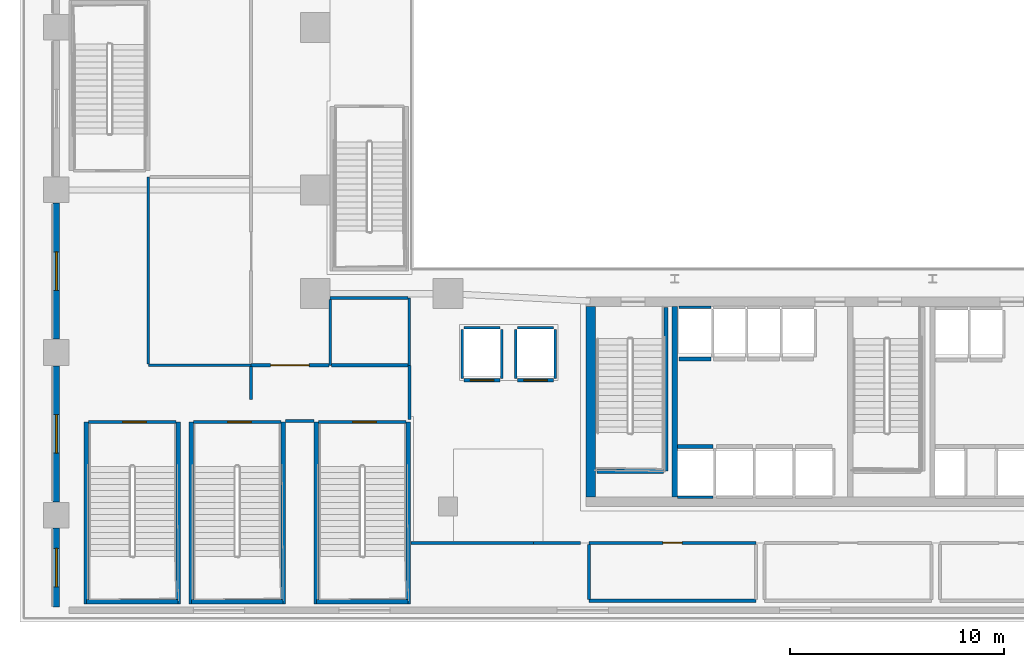
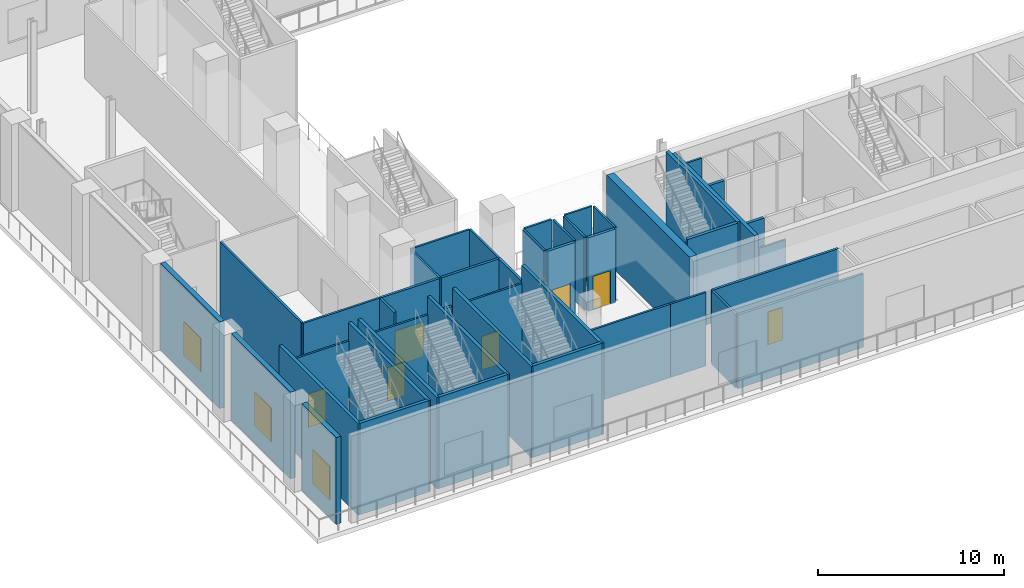
# One storey, part 6 of 29: 46 walls, 7 doors, 3 windows, 10 openings.
"""IFC4 building model written with IfcOpenShell, lengths in metres."""

import ifcopenshell
import ifcopenshell.guid

model = None  # the IFC model being written
_history = None  # IfcOwnerHistory: only IFC2X3 demands one
_inside = {}  # id of a spatial element -> (the spatial element, [elements in it])
_under = {}  # id of a project, library or spatial element -> (it, [spatial elements below it])
_declared = {}  # id of a project -> (the project, [libraries it declares])
_typed = {}  # id of a type object -> (the type object, [elements of that type])
_made_of = {}  # id of a material, layer set ... -> (it, [elements and type objects made of it])


def new_model(schema):
    """Start an empty IFC model of exactly this schema.

    Asked for "IFC4X3", IfcOpenShell would pick the latest addendum, in which some entities
    have other attributes; the version numbers below select the first issue.
    IFC2X3 requires an IfcOwnerHistory on every rooted entity: one is made here for all.
    """
    global model, _history
    if schema == "IFC4X3":
        model = ifcopenshell.file(schema_version=(4, 3, 0, 0))
    else:
        model = ifcopenshell.file(schema=schema)
    _inside.clear()
    _under.clear()
    _declared.clear()
    _typed.clear()
    _made_of.clear()
    _history = None
    if model.schema == "IFC2X3":
        org = make("IfcOrganization", Name="unknown")
        user = make(
            "IfcPersonAndOrganization",
            ThePerson=make("IfcPerson", FamilyName="unknown"),
            TheOrganization=org,
        )
        app = make(
            "IfcApplication",
            ApplicationDeveloper=org,
            Version="unknown",
            ApplicationFullName="unknown",
            ApplicationIdentifier="unknown",
        )
        _history = make(
            "IfcOwnerHistory",
            OwningUser=user,
            OwningApplication=app,
            ChangeAction="ADDED",
            CreationDate=0,
        )
    return model


def make(cls, **values):
    """One entity of the class cls with the attributes given. An attribute that is None is left unset."""
    return model.create_entity(
        cls, **{name: value for name, value in values.items() if value is not None}
    )


def rooted(cls, **values):
    """An entity with a GlobalId (a new one), such as an element, a storey or a relation."""
    return make(cls, GlobalId=ifcopenshell.guid.new(), OwnerHistory=_history, **values)


def si_unit(unit_type, name, prefix=None):
    """IfcSIUnit, for example si_unit("LENGTHUNIT", "METRE", prefix="MILLI")."""
    return make("IfcSIUnit", UnitType=unit_type, Prefix=prefix, Name=name)


def assignment(units):
    """IfcUnitAssignment: the units of a project."""
    return None if units is None else make("IfcUnitAssignment", Units=units)


def point(xyz):
    """IfcCartesianPoint."""
    return None if xyz is None else make("IfcCartesianPoint", Coordinates=xyz)


def direction(xyz):
    """IfcDirection."""
    return None if xyz is None else make("IfcDirection", DirectionRatios=xyz)


def frame(location, z_axis=None, x_axis=None):
    """IfcAxis2Placement3D, a coordinate frame: its origin and axes. An axis left out is left unset."""
    return make(
        "IfcAxis2Placement3D",
        Location=point(location),
        Axis=direction(z_axis),
        RefDirection=direction(x_axis),
    )


def frame_2d(location, x_axis=None):
    """IfcAxis2Placement2D, a coordinate frame in the plane: its origin and x axis."""
    return make(
        "IfcAxis2Placement2D", Location=point(location), RefDirection=direction(x_axis)
    )


def origin():
    """The frame at (0, 0, 0) with its axes left unset."""
    return frame((0.0, 0.0, 0.0))


def place(relative_to, where):
    """IfcLocalPlacement: puts the frame where relative to a parent placement (None: the world)."""
    return make(
        "IfcLocalPlacement", PlacementRelTo=relative_to, RelativePlacement=where
    )


def context(
    kind, dimensions, precision=None, world=None, true_north=None, identifier=None
):
    """IfcGeometricRepresentationContext, for example the 3D "Model" context."""
    return make(
        "IfcGeometricRepresentationContext",
        ContextIdentifier=identifier,
        ContextType=kind,
        CoordinateSpaceDimension=dimensions,
        Precision=precision,
        WorldCoordinateSystem=world,
        TrueNorth=true_north,
    )


def subcontext(parent, identifier, kind, view, scale=None):
    """IfcGeometricRepresentationSubContext, for example "Body" below "Model"."""
    return make(
        "IfcGeometricRepresentationSubContext",
        ContextIdentifier=identifier,
        ContextType=kind,
        ParentContext=parent,
        TargetScale=scale,
        TargetView=view,
    )


def project(units=None, contexts=None):
    """IfcProject with its units and contexts."""
    return rooted(
        "IfcProject",
        Name="project",
        RepresentationContexts=contexts,
        UnitsInContext=assignment(units),
    )


def spatial(cls, under=None, at=None, **own):
    """A site, building, storey or space (cls), placed at a placement, below another one or the project."""
    s = rooted(cls, ObjectPlacement=at, **own)
    if under is not None:
        _under.setdefault(under.id(), (under, []))[1].append(s)
    return s


def profile(cls, at=None, kind="AREA", **sizes):
    """A parametric profile (cls). Its sizes go by their IFC names, for example OverallWidth=200.0."""
    return make(cls, ProfileType=kind, Position=at, **sizes)


def rectangle(**sizes):
    """IfcRectangleProfileDef."""
    return profile("IfcRectangleProfileDef", **sizes)


def extrude(swept, where, along, depth):
    """IfcExtrudedAreaSolid: the profile swept, set in the frame where, extruded along a direction by depth."""
    return make(
        "IfcExtrudedAreaSolid",
        SweptArea=swept,
        Position=where,
        ExtrudedDirection=direction(along),
        Depth=depth,
    )


def shape(context_of_items, identifier, shape_type, items):
    """IfcShapeRepresentation: the items that make up one representation, for example the "Body"."""
    return make(
        "IfcShapeRepresentation",
        ContextOfItems=context_of_items,
        RepresentationIdentifier=identifier,
        RepresentationType=shape_type,
        Items=items,
    )


def material(Name=None, Category=None):
    """IfcMaterial."""
    return make("IfcMaterial", Name=Name, Category=Category)


def layer(
    of_material, thickness, ventilated=None, Name=None, Category=None, Priority=None
):
    """IfcMaterialLayer: one layer of a wall or slab, of a material (None: an air gap)."""
    return make(
        "IfcMaterialLayer",
        Material=of_material,
        LayerThickness=thickness,
        IsVentilated=ventilated,
        Name=Name,
        Category=Category,
        Priority=Priority,
    )


def layer_set(layers, Name=None):
    """IfcMaterialLayerSet."""
    return make("IfcMaterialLayerSet", MaterialLayers=layers, LayerSetName=Name)


def made_of(thing, what):
    """Note that an element or type object is made of a material, layer set ...; save() writes the relation."""
    if what is not None:
        _made_of.setdefault(what.id(), (what, []))[1].append(thing)
    return thing


def type_object(cls, material=None, **own):
    """A type object (cls), such as IfcWallType, which elements share."""
    return made_of(rooted(cls, **own), material)


def element(
    cls,
    number,
    at=None,
    inside=None,
    cuts=None,
    type_object=None,
    material=None,
    context=None,
    identifier="Body",
    shape_type=None,
    held_by="IfcProductDefinitionShape",
    body=None,
    shapes=None,
    **own,
):
    """One element of the class cls, such as IfcWall. Its Tag is "e" and its number.

    at: its placement. inside: the storey or other place that contains it. cuts: it is an
    opening in that element (IfcRelVoidsElement). A single representation is given by context,
    identifier, shape_type and body (its items); several are given by shapes. held_by: the class
    of the entity that holds the representations. save() writes the other relations.
    """
    e = rooted(cls, Tag="e%d" % number, ObjectPlacement=at, **own)
    if body is not None:
        shapes = [shape(context, identifier, shape_type, body)]
    if shapes is not None:
        e.Representation = make(held_by, Representations=shapes)
    if inside is not None:
        _inside.setdefault(inside.id(), (inside, []))[1].append(e)
    if cuts is not None:
        rooted(
            "IfcRelVoidsElement", RelatingBuildingElement=cuts, RelatedOpeningElement=e
        )
    if type_object is not None:
        _typed.setdefault(type_object.id(), (type_object, []))[1].append(e)
    return made_of(e, material)


def fill(opening, filler):
    """IfcRelFillsElement: the door or window that sits in an opening."""
    return rooted(
        "IfcRelFillsElement",
        RelatingOpeningElement=opening,
        RelatedBuildingElement=filler,
    )


def aggregate(whole, parts):
    """IfcRelAggregates: a whole, such as a stair, and the parts it consists of."""
    return rooted("IfcRelAggregates", RelatingObject=whole, RelatedObjects=parts)


def save(model, path):
    """Write the relations noted so far, then the file.

    IfcRelAggregates (storeys below a building ...), IfcRelContainedInSpatialStructure (elements
    in a storey), IfcRelDefinesByType, IfcRelAssociatesMaterial and IfcRelDeclares: one each for
    every whole, place, type object, material and project.
    """
    for whole, parts in _under.values():
        aggregate(whole, parts)
    for where, things in _inside.values():
        rooted(
            "IfcRelContainedInSpatialStructure",
            RelatedElements=things,
            RelatingStructure=where,
        )
    for kind, things in _typed.values():
        rooted("IfcRelDefinesByType", RelatedObjects=things, RelatingType=kind)
    for what, things in _made_of.values():
        rooted("IfcRelAssociatesMaterial", RelatedObjects=things, RelatingMaterial=what)
    for by, libraries in _declared.values():
        rooted("IfcRelDeclares", RelatingContext=by, RelatedDefinitions=libraries)
    model.write(path)


model = new_model("IFC4")

# Units and contexts
model_context = context("Model", 3, precision=1e-05, world=origin(), true_north=direction((0.0, 1.0)))
body_context = subcontext(model_context, "Body", "Model", "MODEL_VIEW")
ifc_project = project(units=[si_unit("LENGTHUNIT", "METRE"), si_unit("AREAUNIT", "SQUARE_METRE"), si_unit("VOLUMEUNIT", "CUBIC_METRE"), si_unit("PLANEANGLEUNIT", "RADIAN"), si_unit("MASSUNIT", "GRAM", prefix="KILO")], contexts=[model_context])

# Site, building, storey
site_placement = place(None, origin())
site = spatial("IfcSite", under=ifc_project, at=site_placement, CompositionType="ELEMENT")
building_placement = place(site_placement, origin())
building = spatial("IfcBuilding", under=site, at=building_placement, Name="Ndaravel Arena Tower", CompositionType="ELEMENT")
storey_placement = place(building_placement, frame((0.0, 0.0, 12.0)))
storey = spatial("IfcBuildingStorey", under=building, at=storey_placement, Name="L02", CompositionType="ELEMENT", Elevation=12.0)

# Walls
ifc_material_1 = material(Name="Concrete C60/75", Category="concrete")
ifc_layer_1 = layer(ifc_material_1, 0.25)
ifc_layer_set_1 = layer_set([ifc_layer_1], Name="Concrete C60/75")
wall_type_1 = type_object("IfcWallType", Name="WALL-CORE-250", PredefinedType="SOLIDWALL", material=ifc_layer_set_1)
wall_1_placement = place(storey_placement, frame((30.60009765625, 5.85009765625, 0.0), z_axis=(0.0, 0.0, 1.0), x_axis=(0.0, 1.0, 0.0)))
element("IfcWall", 1, at=wall_1_placement, inside=storey, type_object=wall_type_1, Name="L02 Core Web Shear Wall 1", PredefinedType="SOLIDWALL", context=body_context, shape_type="SweptSolid", body=[
    extrude(rectangle(XDim=8.89990234375, YDim=0.25, at=frame_2d((4.449951171875, 0.0))), origin(), (0.0, 0.0, 1.0), 5.699951171875),
])
ifc_material_2 = material(Name="Concrete C60/75", Category="concrete")
ifc_layer_2 = layer(ifc_material_2, 0.449951171875)
ifc_layer_set_2 = layer_set([ifc_layer_2], Name="Concrete C60/75")
wall_type_2 = type_object("IfcWallType", Name="WALL-CORE-450", PredefinedType="SOLIDWALL", material=ifc_layer_set_2)
wall_2_placement = place(storey_placement, frame((26.675048828125, 5.85009765625, 0.0), z_axis=(0.0, 0.0, 1.0), x_axis=(0.0, 1.0, 0.0)))
element("IfcWall", 2, at=wall_2_placement, inside=storey, type_object=wall_type_2, Name="L02 Core West Shear Wall", PredefinedType="SOLIDWALL", context=body_context, shape_type="SweptSolid", body=[
    extrude(rectangle(XDim=8.89990234375, YDim=0.449951171875, at=frame_2d((4.449951171875, 0.0))), origin(), (0.0, 0.0, 1.0), 5.699951171875),
])
ifc_material_3 = material(Name="Gypsum", Category="gypsum")
ifc_layer_3 = layer(ifc_material_3, 0.125)
ifc_layer_set_3 = layer_set([ifc_layer_3], Name="Gypsum")
wall_type_3 = type_object("IfcWallType", Name="WALL-PART-125", PredefinedType="PARTITIONING", material=ifc_layer_set_3)
wall_3_placement = place(storey_placement, frame((26.199951171875, 3.699951171875, 0.0), z_axis=(0.0, 0.0, 1.0), x_axis=(-1.0, 0.0, 0.0)))
element("IfcWall", 3, at=wall_3_placement, inside=storey, type_object=wall_type_3, Name="L02 Interior Partition 006", PredefinedType="PARTITIONING", context=body_context, shape_type="SweptSolid", body=[
    extrude(rectangle(XDim=2.199951171875, YDim=0.125, at=frame_2d((1.10009765625, 0.0))), origin(), (0.0, 0.0, 1.0), 4.819091796875),
])
wall_4_placement = place(storey_placement, frame((24.0, 3.699951171875, 0.0), z_axis=(0.0, 0.0, 1.0), x_axis=(-1.0, 0.0, 0.0)))
element("IfcWall", 4, at=wall_4_placement, inside=storey, type_object=wall_type_3, Name="L02 Interior Partition 007", PredefinedType="PARTITIONING", context=body_context, shape_type="SweptSolid", body=[
    extrude(rectangle(XDim=5.72998046875, YDim=0.125, at=frame_2d((2.864990234375, 0.0))), origin(), (0.0, 0.0, 1.0), 4.819091796875),
])
wall_5_placement = place(storey_placement, frame((18.199951171875, 12.0, 0.0), z_axis=(0.0, 0.0, 1.0), x_axis=(0.0, 1.0, 0.0)))
element("IfcWall", 5, at=wall_5_placement, inside=storey, type_object=wall_type_3, Name="L02 Interior Partition 009", PredefinedType="PARTITIONING", context=body_context, shape_type="SweptSolid", body=[
    extrude(rectangle(XDim=3.14990234375, YDim=0.125, at=frame_2d((1.574951171875, 0.0))), origin(), (0.0, 0.0, 1.0), 4.819091796875),
])
wall_6_placement = place(storey_placement, frame((18.135009765625, 15.14990234375, 0.0), z_axis=(0.0, 0.0, 1.0), x_axis=(-1.0, 0.0, 0.0)))
element("IfcWall", 6, at=wall_6_placement, inside=storey, type_object=wall_type_3, Name="L02 Interior Partition 010", PredefinedType="PARTITIONING", context=body_context, shape_type="SweptSolid", body=[
    extrude(rectangle(XDim=3.635009765625, YDim=0.125, at=frame_2d((1.8173828125, 0.0))), origin(), (0.0, 0.0, 1.0), 4.819091796875),
])
wall_7_placement = place(storey_placement, frame((14.5, 15.0849609375, 0.0), z_axis=(0.0, 0.0, 1.0), x_axis=(0.0, -1.0, 0.0)))
element("IfcWall", 7, at=wall_7_placement, inside=storey, type_object=wall_type_3, Name="L02 Interior Partition 011", PredefinedType="PARTITIONING", context=body_context, shape_type="SweptSolid", body=[
    extrude(rectangle(XDim=3.0849609375, YDim=0.125, at=frame_2d((1.54248046875, 0.0))), origin(), (0.0, 0.0, 1.0), 4.819091796875),
])
wall_8_placement = place(storey_placement, frame((10.800048828125, 12.0, 0.0), z_axis=(0.0, 0.0, 1.0), x_axis=(-1.0, 0.0, 0.0)))
element("IfcWall", 8, at=wall_8_placement, inside=storey, type_object=wall_type_3, Name="L02 Interior Partition 033", PredefinedType="PARTITIONING", context=body_context, shape_type="SweptSolid", body=[
    extrude(rectangle(XDim=4.800048828125, YDim=0.125, at=frame_2d((2.39990234375, 0.0))), origin(), (0.0, 0.0, 1.0), 4.819091796875),
])
wall_9_placement = place(storey_placement, frame((6.0, 12.06494140625, 0.0), z_axis=(0.0, 0.0, 1.0), x_axis=(0.0, 1.0, 0.0)))
element("IfcWall", 9, at=wall_9_placement, inside=storey, type_object=wall_type_3, Name="L02 Interior Partition 034", PredefinedType="PARTITIONING", context=body_context, shape_type="SweptSolid", body=[
    extrude(rectangle(XDim=8.735107421875, YDim=0.125, at=frame_2d((4.36767578125, 0.0))), origin(), (0.0, 0.0, 1.0), 4.819091796875),
])

# Wall, opening, window
ifc_material_4 = material(Name="Masonry", Category="masonry")
ifc_layer_4 = layer(ifc_material_4, 0.300048828125)
ifc_layer_set_4 = layer_set([ifc_layer_4], Name="Masonry")
wall_type_4 = type_object("IfcWallType", Name="WALL-POD-MAZERAS-300", PredefinedType="SOLIDWALL", material=ifc_layer_set_4)
wall_10_placement = place(storey_placement, frame((1.699951171875, 0.699951171875, 0.0), z_axis=(0.0, 0.0, 1.0), x_axis=(0.0, 1.0, 0.0)))
wall_10 = element("IfcWall", 10, at=wall_10_placement, inside=storey, type_object=wall_type_4, Name="L02 West Mazeras Bay 1", PredefinedType="SOLIDWALL", context=body_context, shape_type="SweptSolid", body=[
    extrude(rectangle(XDim=3.699951171875, YDim=0.300048828125, at=frame_2d((1.85009765625, 0.0))), origin(), (0.0, 0.0, 1.0), 5.699951171875),
])
opening_1_placement = place(wall_10_placement, frame((0.949951171875, 0.0, 1.0)))
opening_1 = element("IfcOpeningElement", 11, at=opening_1_placement, cuts=wall_10, Name="Opening W-PD2", PredefinedType="OPENING", context=body_context, shape_type="SweptSolid", body=[
    extrude(rectangle(XDim=1.800048828125, YDim=2.199951171875, at=frame_2d((0.89990234375, 1.10009765625))), frame((0.0, 0.14990234375, 0.0), z_axis=(0.0, -1.0, 0.0), x_axis=(1.0, 0.0, 0.0)), (0.0, 0.0, 1.0), 0.300048828125),
])
ifc_material_5 = material(Name="Glazing", Category="glass")
window_type = type_object("IfcWindowType", Name="WIN-POD-1800", PartitioningType="SINGLE_PANEL", PredefinedType="WINDOW", material=ifc_material_5)
window_1_placement = place(opening_1_placement, origin())
window_1 = element("IfcWindow", 12, at=window_1_placement, inside=storey, type_object=window_type, Name="L02 West Mazeras Window 1", OverallHeight=2.199951171875, OverallWidth=1.800048828125, PartitioningType="SINGLE_PANEL", PredefinedType="WINDOW", context=body_context, shape_type="SweptSolid", body=[
    extrude(rectangle(XDim=1.800048828125, YDim=2.199951171875, at=frame_2d((0.89990234375, 1.10009765625))), frame((0.0, 0.030029296875, 0.0), z_axis=(0.0, -1.0, 0.0), x_axis=(1.0, 0.0, 0.0)), (0.0, 0.0, 1.0), 0.06005859375),
])
fill(opening_1, window_1)

wall_11_placement = place(storey_placement, frame((1.699951171875, 5.6201171875, 0.0), z_axis=(0.0, 0.0, 1.0), x_axis=(0.0, 1.0, 0.0)))
wall_11 = element("IfcWall", 13, at=wall_11_placement, inside=storey, type_object=wall_type_4, Name="L02 West Mazeras Bay 2", PredefinedType="SOLIDWALL", context=body_context, shape_type="SweptSolid", body=[
    extrude(rectangle(XDim=6.35986328125, YDim=0.300048828125, at=frame_2d((3.179931640625, 0.0))), origin(), (0.0, 0.0, 1.0), 5.699951171875),
])
opening_2_placement = place(wall_11_placement, frame((2.280029296875, 0.0, 1.0)))
opening_2 = element("IfcOpeningElement", 14, at=opening_2_placement, cuts=wall_11, Name="Opening W-PD2", PredefinedType="OPENING", context=body_context, shape_type="SweptSolid", body=[
    extrude(rectangle(XDim=1.800048828125, YDim=2.199951171875, at=frame_2d((0.89990234375, 1.10009765625))), frame((0.0, 0.14990234375, 0.0), z_axis=(0.0, -1.0, 0.0), x_axis=(1.0, 0.0, 0.0)), (0.0, 0.0, 1.0), 0.300048828125),
])
window_2_placement = place(opening_2_placement, origin())
window_2 = element("IfcWindow", 15, at=window_2_placement, inside=storey, type_object=window_type, Name="L02 West Mazeras Window 2", OverallHeight=2.199951171875, OverallWidth=1.800048828125, PartitioningType="SINGLE_PANEL", PredefinedType="WINDOW", context=body_context, shape_type="SweptSolid", body=[
    extrude(rectangle(XDim=1.800048828125, YDim=2.199951171875, at=frame_2d((0.89990234375, 1.10009765625))), frame((0.0, 0.030029296875, 0.0), z_axis=(0.0, -1.0, 0.0), x_axis=(1.0, 0.0, 0.0)), (0.0, 0.0, 1.0), 0.06005859375),
])
fill(opening_2, window_2)

wall_12_placement = place(storey_placement, frame((1.699951171875, 13.219970703125, 0.0), z_axis=(0.0, 0.0, 1.0), x_axis=(0.0, 1.0, 0.0)))
wall_12 = element("IfcWall", 16, at=wall_12_placement, inside=storey, type_object=wall_type_4, Name="L02 West Mazeras Bay 3", PredefinedType="SOLIDWALL", context=body_context, shape_type="SweptSolid", body=[
    extrude(rectangle(XDim=6.360107421875, YDim=0.300048828125, at=frame_2d((3.18017578125, 0.0))), origin(), (0.0, 0.0, 1.0), 5.699951171875),
])
opening_3_placement = place(wall_12_placement, frame((2.280029296875, 0.0, 1.0)))
opening_3 = element("IfcOpeningElement", 17, at=opening_3_placement, cuts=wall_12, Name="Opening W-PD2", PredefinedType="OPENING", context=body_context, shape_type="SweptSolid", body=[
    extrude(rectangle(XDim=1.800048828125, YDim=2.199951171875, at=frame_2d((0.89990234375, 1.10009765625))), frame((0.0, 0.14990234375, 0.0), z_axis=(0.0, -1.0, 0.0), x_axis=(1.0, 0.0, 0.0)), (0.0, 0.0, 1.0), 0.300048828125),
])
window_3_placement = place(opening_3_placement, origin())
window_3 = element("IfcWindow", 18, at=window_3_placement, inside=storey, type_object=window_type, Name="L02 West Mazeras Window 3", OverallHeight=2.199951171875, OverallWidth=1.800048828125, PartitioningType="SINGLE_PANEL", PredefinedType="WINDOW", context=body_context, shape_type="SweptSolid", body=[
    extrude(rectangle(XDim=1.800048828125, YDim=2.199951171875, at=frame_2d((0.89990234375, 1.10009765625))), frame((0.0, 0.030029296875, 0.0), z_axis=(0.0, -1.0, 0.0), x_axis=(1.0, 0.0, 0.0)), (0.0, 0.0, 1.0), 0.06005859375),
])
fill(opening_3, window_3)

# Wall, opening, door
ifc_material_6 = material(Name="Concrete C40/50", Category="concrete")
ifc_layer_5 = layer(ifc_material_6, 0.1201171875)
ifc_layer_set_5 = layer_set([ifc_layer_5], Name="Concrete C40/50")
wall_type_5 = type_object("IfcWallType", Name="WALL-SHAFT-120", PredefinedType="SOLIDWALL", material=ifc_layer_set_5)
wall_13_placement = place(storey_placement, frame((3.205078125, 9.35009765625, 0.0), z_axis=(0.0, 0.0, 1.0), x_axis=(1.0, 0.0, 0.0)))
wall_13 = element("IfcWall", 19, at=wall_13_placement, inside=storey, type_object=wall_type_5, Name="L02 ST-A01 Entry Wall", PredefinedType="SOLIDWALL", context=body_context, shape_type="SweptSolid", body=[
    extrude(rectangle(XDim=4.08984375, YDim=0.1201171875, at=frame_2d((2.044921875, 0.0))), origin(), (0.0, 0.0, 1.0), 4.819091796875),
])
opening_4_placement = place(wall_13_placement, frame((1.60009765625, 0.0, 0.0)))
opening_4 = element("IfcOpeningElement", 20, at=opening_4_placement, cuts=wall_13, Name="Opening FD-01", PredefinedType="OPENING", context=body_context, shape_type="SweptSolid", body=[
    extrude(rectangle(XDim=1.10009765625, YDim=2.199951171875, at=frame_2d((0.550048828125, 1.10009765625))), frame((0.0, 0.06005859375, 0.0), z_axis=(0.0, -1.0, 0.0), x_axis=(1.0, 0.0, 0.0)), (0.0, 0.0, 1.0), 0.1201171875),
])
ifc_material_7 = material(Name="Steel S355", Category="steel")
door_type_1 = type_object("IfcDoorType", Name="DT-01-STAIR-1100", OperationType="SINGLE_SWING_LEFT", PredefinedType="DOOR", material=ifc_material_7)
door_1_placement = place(opening_4_placement, origin())
door_1 = element("IfcDoor", 21, at=door_1_placement, inside=storey, type_object=door_type_1, Name="L02 ST-A01 Fire Exit Stair Door", OperationType="SINGLE_SWING_LEFT", OverallHeight=2.199951171875, OverallWidth=1.10009765625, PredefinedType="DOOR", context=body_context, shape_type="SweptSolid", body=[
    extrude(rectangle(XDim=1.10009765625, YDim=2.199951171875, at=frame_2d((0.550048828125, 1.10009765625))), frame((0.0, 0.02490234375, 0.0), z_axis=(0.0, -1.0, 0.0), x_axis=(1.0, 0.0, 0.0)), (0.0, 0.0, 1.0), 0.050048828125),
])
fill(opening_4, door_1)

wall_14_placement = place(storey_placement, frame((8.10498046875, 9.35009765625, 0.0), z_axis=(0.0, 0.0, 1.0), x_axis=(1.0, 0.0, 0.0)))
wall_14 = element("IfcWall", 22, at=wall_14_placement, inside=storey, type_object=wall_type_5, Name="L02 ST-A02 Entry Wall", PredefinedType="SOLIDWALL", context=body_context, shape_type="SweptSolid", body=[
    extrude(rectangle(XDim=4.090087890625, YDim=0.1201171875, at=frame_2d((2.044921875, 0.0))), origin(), (0.0, 0.0, 1.0), 4.819091796875),
])
opening_5_placement = place(wall_14_placement, frame((1.60009765625, 0.0, 0.0)))
opening_5 = element("IfcOpeningElement", 23, at=opening_5_placement, cuts=wall_14, Name="Opening FD-01", PredefinedType="OPENING", context=body_context, shape_type="SweptSolid", body=[
    extrude(rectangle(XDim=1.10009765625, YDim=2.199951171875, at=frame_2d((0.550048828125, 1.10009765625))), frame((0.0, 0.06005859375, 0.0), z_axis=(0.0, -1.0, 0.0), x_axis=(1.0, 0.0, 0.0)), (0.0, 0.0, 1.0), 0.1201171875),
])
door_2_placement = place(opening_5_placement, origin())
door_2 = element("IfcDoor", 24, at=door_2_placement, inside=storey, type_object=door_type_1, Name="L02 ST-A02 Fire Exit Stair Door", OperationType="SINGLE_SWING_LEFT", OverallHeight=2.199951171875, OverallWidth=1.10009765625, PredefinedType="DOOR", context=body_context, shape_type="SweptSolid", body=[
    extrude(rectangle(XDim=1.10009765625, YDim=2.199951171875, at=frame_2d((0.550048828125, 1.10009765625))), frame((0.0, 0.02490234375, 0.0), z_axis=(0.0, -1.0, 0.0), x_axis=(1.0, 0.0, 0.0)), (0.0, 0.0, 1.0), 0.050048828125),
])
fill(opening_5, door_2)

wall_15_placement = place(storey_placement, frame((13.955078125, 9.35009765625, 0.0), z_axis=(0.0, 0.0, 1.0), x_axis=(1.0, 0.0, 0.0)))
wall_15 = element("IfcWall", 25, at=wall_15_placement, inside=storey, type_object=wall_type_5, Name="L02 ST-A03 Entry Wall", PredefinedType="SOLIDWALL", context=body_context, shape_type="SweptSolid", body=[
    extrude(rectangle(XDim=4.08984375, YDim=0.1201171875, at=frame_2d((2.044921875, 0.0))), origin(), (0.0, 0.0, 1.0), 4.819091796875),
])
opening_6_placement = place(wall_15_placement, frame((1.60009765625, 0.0, 0.0)))
opening_6 = element("IfcOpeningElement", 26, at=opening_6_placement, cuts=wall_15, Name="Opening FD-01", PredefinedType="OPENING", context=body_context, shape_type="SweptSolid", body=[
    extrude(rectangle(XDim=1.10009765625, YDim=2.199951171875, at=frame_2d((0.550048828125, 1.10009765625))), frame((0.0, 0.06005859375, 0.0), z_axis=(0.0, -1.0, 0.0), x_axis=(1.0, 0.0, 0.0)), (0.0, 0.0, 1.0), 0.1201171875),
])
door_3_placement = place(opening_6_placement, origin())
door_3 = element("IfcDoor", 27, at=door_3_placement, inside=storey, type_object=door_type_1, Name="L02 ST-A03 Fire Exit Stair Door", OperationType="SINGLE_SWING_LEFT", OverallHeight=2.199951171875, OverallWidth=1.10009765625, PredefinedType="DOOR", context=body_context, shape_type="SweptSolid", body=[
    extrude(rectangle(XDim=1.10009765625, YDim=2.199951171875, at=frame_2d((0.550048828125, 1.10009765625))), frame((0.0, 0.02490234375, 0.0), z_axis=(0.0, -1.0, 0.0), x_axis=(1.0, 0.0, 0.0)), (0.0, 0.0, 1.0), 0.050048828125),
])
fill(opening_6, door_3)

# Walls
wall_16_placement = place(storey_placement, frame((30.72998046875, 5.840087890625, 0.0), z_axis=(0.0, 0.0, 1.0), x_axis=(1.0, 0.0, 0.0)))
element("IfcWall", 28, at=wall_16_placement, inside=storey, type_object=wall_type_5, Name="L02 PL-L1 Shaft Rear Wall", PredefinedType="SOLIDWALL", context=body_context, shape_type="SweptSolid", body=[
    extrude(rectangle(XDim=1.6650390625, YDim=0.1201171875, at=frame_2d((0.83251953125, 0.0))), origin(), (0.0, 0.0, 1.0), 4.819091796875),
])
wall_17_placement = place(storey_placement, frame((30.804931640625, 14.7099609375, 0.0), z_axis=(0.0, 0.0, 1.0), x_axis=(1.0, 0.0, 0.0)))
element("IfcWall", 29, at=wall_17_placement, inside=storey, type_object=wall_type_5, Name="L02 PL-M1 Shaft Rear Wall", PredefinedType="SOLIDWALL", context=body_context, shape_type="SweptSolid", body=[
    extrude(rectangle(XDim=1.489990234375, YDim=0.1201171875, at=frame_2d((0.7451171875, 0.0))), origin(), (0.0, 0.0, 1.0), 4.819091796875),
])
wall_18_placement = place(storey_placement, frame((20.7548828125, 13.760009765625, 0.0), z_axis=(0.0, 0.0, 1.0), x_axis=(1.0, 0.0, 0.0)))
element("IfcWall", 30, at=wall_18_placement, inside=storey, type_object=wall_type_5, Name="L02 PL-A1 Shaft Rear Wall", PredefinedType="SOLIDWALL", context=body_context, shape_type="SweptSolid", body=[
    extrude(rectangle(XDim=1.690185546875, YDim=0.1201171875, at=frame_2d((0.84521484375, 0.0))), origin(), (0.0, 0.0, 1.0), 4.819091796875),
])
for number, where, z_axis, x_axis, name in (
    (31, (20.675048828125, 11.389892578125, 0.0), (0.0, 0.0, 1.0), (0.0, 1.0, 0.0), "L02 PL-A1 Shaft Side L Wall"),
    (32, (22.52490234375, 11.389892578125, 0.0), (0.0, 0.0, 1.0), (0.0, 1.0, 0.0), "L02 PL-A1 Shaft Side R Wall"),
):
    element("IfcWall", number, at=place(storey_placement, frame(where, z_axis=z_axis, x_axis=x_axis)), inside=storey, type_object=wall_type_5, Name=name, PredefinedType="SOLIDWALL", context=body_context, shape_type="SweptSolid", body=[
        extrude(rectangle(XDim=2.280029296875, YDim=0.1201171875, at=frame_2d((1.14013671875, 0.0))), origin(), (0.0, 0.0, 1.0), 4.819091796875),
    ])
wall_19_placement = place(storey_placement, frame((23.2548828125, 13.760009765625, 0.0), z_axis=(0.0, 0.0, 1.0), x_axis=(1.0, 0.0, 0.0)))
element("IfcWall", 33, at=wall_19_placement, inside=storey, type_object=wall_type_5, Name="L02 PL-A2 Shaft Rear Wall", PredefinedType="SOLIDWALL", context=body_context, shape_type="SweptSolid", body=[
    extrude(rectangle(XDim=1.690185546875, YDim=0.1201171875, at=frame_2d((0.84521484375, 0.0))), origin(), (0.0, 0.0, 1.0), 4.819091796875),
])
for number, where, z_axis, x_axis, name in (
    (34, (23.175048828125, 11.389892578125, 0.0), (0.0, 0.0, 1.0), (0.0, 1.0, 0.0), "L02 PL-A2 Shaft Side L Wall"),
    (35, (25.02490234375, 11.389892578125, 0.0), (0.0, 0.0, 1.0), (0.0, 1.0, 0.0), "L02 PL-A2 Shaft Side R Wall"),
):
    element("IfcWall", number, at=place(storey_placement, frame(where, z_axis=z_axis, x_axis=x_axis)), inside=storey, type_object=wall_type_5, Name=name, PredefinedType="SOLIDWALL", context=body_context, shape_type="SweptSolid", body=[
        extrude(rectangle(XDim=2.280029296875, YDim=0.1201171875, at=frame_2d((1.14013671875, 0.0))), origin(), (0.0, 0.0, 1.0), 4.819091796875),
    ])
ifc_material_8 = material(Name="Concrete C40/50", Category="concrete")
ifc_layer_6 = layer(ifc_material_8, 0.199951171875)
ifc_layer_set_6 = layer_set([ifc_layer_6], Name="Concrete C40/50")
wall_type_6 = type_object("IfcWallType", Name="WALL-SHAFT-200", PredefinedType="SOLIDWALL", material=ifc_layer_set_6)
wall_20_placement = place(storey_placement, frame((30.18994140625, 14.699951171875, 0.0), z_axis=(0.0, 0.0, 1.0), x_axis=(0.0, -1.0, 0.0)))
element("IfcWall", 36, at=wall_20_placement, inside=storey, type_object=wall_type_6, Name="L02 ST-1 Structural Shaft Wall Right", PredefinedType="SOLIDWALL", context=body_context, shape_type="SweptSolid", body=[
    extrude(rectangle(XDim=7.64990234375, YDim=0.199951171875, at=frame_2d((3.824951171875, 0.0))), origin(), (0.0, 0.0, 1.0), 6.0),
])
wall_21_placement = place(storey_placement, frame((26.969970703125, 7.050048828125, 0.0), z_axis=(0.0, 0.0, 1.0), x_axis=(1.0, 0.0, 0.0)))
element("IfcWall", 37, at=wall_21_placement, inside=storey, type_object=wall_type_6, Name="L02 ST-1 Structural Shaft Wall Far", PredefinedType="SOLIDWALL", context=body_context, shape_type="SweptSolid", body=[
    extrude(rectangle(XDim=3.114990234375, YDim=0.199951171875, at=frame_2d((1.5576171875, 0.0))), origin(), (0.0, 0.0, 1.0), 6.0),
])
for number, where, z_axis, x_axis, name in (
    (38, (3.10009765625, 9.35009765625, 0.0), (0.0, 0.0, 1.0), (0.0, -1.0, 0.0), "L02 ST-A01 Shaft Wall Left"),
    (39, (7.39990234375, 9.35009765625, 0.0), (0.0, 0.0, 1.0), (0.0, -1.0, 0.0), "L02 ST-A01 Shaft Wall Right"),
):
    element("IfcWall", number, at=place(storey_placement, frame(where, z_axis=z_axis, x_axis=x_axis)), inside=storey, type_object=wall_type_6, Name=name, PredefinedType="SOLIDWALL", context=body_context, shape_type="SweptSolid", body=[
        extrude(rectangle(XDim=8.5, YDim=0.199951171875, at=frame_2d((4.25, 0.0))), origin(), (0.0, 0.0, 1.0), 6.0),
    ])
wall_22_placement = place(storey_placement, frame((3.110107421875, 0.949951171875, 0.0), z_axis=(0.0, 0.0, 1.0), x_axis=(1.0, 0.0, 0.0)))
element("IfcWall", 40, at=wall_22_placement, inside=storey, type_object=wall_type_6, Name="L02 ST-A01 Shaft Wall Far", PredefinedType="SOLIDWALL", context=body_context, shape_type="SweptSolid", body=[
    extrude(rectangle(XDim=4.27978515625, YDim=0.199951171875, at=frame_2d((2.139892578125, 0.0))), origin(), (0.0, 0.0, 1.0), 6.0),
])
for number, where, z_axis, x_axis, name in (
    (41, (8.0, 9.35009765625, 0.0), (0.0, 0.0, 1.0), (0.0, -1.0, 0.0), "L02 ST-A02 Shaft Wall Left"),
    (42, (12.300048828125, 9.35009765625, 0.0), (0.0, 0.0, 1.0), (0.0, -1.0, 0.0), "L02 ST-A02 Shaft Wall Right"),
):
    element("IfcWall", number, at=place(storey_placement, frame(where, z_axis=z_axis, x_axis=x_axis)), inside=storey, type_object=wall_type_6, Name=name, PredefinedType="SOLIDWALL", context=body_context, shape_type="SweptSolid", body=[
        extrude(rectangle(XDim=8.5, YDim=0.199951171875, at=frame_2d((4.25, 0.0))), origin(), (0.0, 0.0, 1.0), 6.0),
    ])
wall_23_placement = place(storey_placement, frame((8.010009765625, 0.949951171875, 0.0), z_axis=(0.0, 0.0, 1.0), x_axis=(1.0, 0.0, 0.0)))
element("IfcWall", 43, at=wall_23_placement, inside=storey, type_object=wall_type_6, Name="L02 ST-A02 Shaft Wall Far", PredefinedType="SOLIDWALL", context=body_context, shape_type="SweptSolid", body=[
    extrude(rectangle(XDim=4.280029296875, YDim=0.199951171875, at=frame_2d((2.14013671875, 0.0))), origin(), (0.0, 0.0, 1.0), 6.0),
])
for number, where, z_axis, x_axis, name in (
    (44, (13.85009765625, 9.35009765625, 0.0), (0.0, 0.0, 1.0), (0.0, -1.0, 0.0), "L02 ST-A03 Shaft Wall Left"),
    (45, (18.14990234375, 9.35009765625, 0.0), (0.0, 0.0, 1.0), (0.0, -1.0, 0.0), "L02 ST-A03 Shaft Wall Right"),
):
    element("IfcWall", number, at=place(storey_placement, frame(where, z_axis=z_axis, x_axis=x_axis)), inside=storey, type_object=wall_type_6, Name=name, PredefinedType="SOLIDWALL", context=body_context, shape_type="SweptSolid", body=[
        extrude(rectangle(XDim=8.5, YDim=0.199951171875, at=frame_2d((4.25, 0.0))), origin(), (0.0, 0.0, 1.0), 6.0),
    ])
wall_24_placement = place(storey_placement, frame((13.860107421875, 0.949951171875, 0.0), z_axis=(0.0, 0.0, 1.0), x_axis=(1.0, 0.0, 0.0)))
element("IfcWall", 46, at=wall_24_placement, inside=storey, type_object=wall_type_6, Name="L02 ST-A03 Shaft Wall Far", PredefinedType="SOLIDWALL", context=body_context, shape_type="SweptSolid", body=[
    extrude(rectangle(XDim=4.27978515625, YDim=0.199951171875, at=frame_2d((2.139892578125, 0.0))), origin(), (0.0, 0.0, 1.0), 6.0),
])
wall_25_placement = place(storey_placement, frame((30.72998046875, 8.199951171875, 0.0), z_axis=(0.0, 0.0, 1.0), x_axis=(1.0, 0.0, 0.0)))
element("IfcWall", 47, at=wall_25_placement, inside=storey, type_object=wall_type_6, Name="L02 PL-L1 Shaft Landing Wall", PredefinedType="SOLIDWALL", context=body_context, shape_type="SweptSolid", body=[
    extrude(rectangle(XDim=1.6650390625, YDim=0.179931640625, at=frame_2d((0.83251953125, 0.0))), origin(), (0.0, 0.0, 1.0), 4.819091796875),
])
wall_26_placement = place(storey_placement, frame((30.804931640625, 12.300048828125, 0.0), z_axis=(0.0, 0.0, 1.0), x_axis=(1.0, 0.0, 0.0)))
element("IfcWall", 48, at=wall_26_placement, inside=storey, type_object=wall_type_6, Name="L02 PL-M1 Shaft Landing Wall", PredefinedType="SOLIDWALL", context=body_context, shape_type="SweptSolid", body=[
    extrude(rectangle(XDim=1.489990234375, YDim=0.179931640625, at=frame_2d((0.7451171875, 0.0))), origin(), (0.0, 0.0, 1.0), 4.819091796875),
])

# Wall, opening, door
wall_27_placement = place(storey_placement, frame((20.7548828125, 11.300048828125, 0.0), z_axis=(0.0, 0.0, 1.0), x_axis=(1.0, 0.0, 0.0)))
wall_27 = element("IfcWall", 49, at=wall_27_placement, inside=storey, type_object=wall_type_6, Name="L02 PL-A1 Shaft Landing Wall", PredefinedType="SOLIDWALL", context=body_context, shape_type="SweptSolid", body=[
    extrude(rectangle(XDim=1.690185546875, YDim=0.179931640625, at=frame_2d((0.84521484375, 0.0))), origin(), (0.0, 0.0, 1.0), 4.819091796875),
])
opening_7_placement = place(wall_27_placement, frame((0.294921875, 0.0, 0.0)))
opening_7 = element("IfcOpeningElement", 50, at=opening_7_placement, cuts=wall_27, Name="Opening LD-01", PredefinedType="OPENING", context=body_context, shape_type="SweptSolid", body=[
    extrude(rectangle(XDim=1.10009765625, YDim=2.199951171875, at=frame_2d((0.550048828125, 1.10009765625))), frame((0.0, 0.08984375, 0.0), z_axis=(0.0, -1.0, 0.0), x_axis=(1.0, 0.0, 0.0)), (0.0, 0.0, 1.0), 0.179931640625),
])
ifc_material_9 = material(Name="Steel S355", Category="steel")
door_type_2 = type_object("IfcDoorType", Name="DT-06-LIFT-1100", OperationType="SLIDING_TO_LEFT", PredefinedType="DOOR", material=ifc_material_9)
door_4_placement = place(opening_7_placement, origin())
door_4 = element("IfcDoor", 51, at=door_4_placement, inside=storey, type_object=door_type_2, Name="L02 Lift PL-A1 Sliding Landing Door", OperationType="SLIDING_TO_LEFT", OverallHeight=2.199951171875, OverallWidth=1.10009765625, PredefinedType="DOOR", context=body_context, shape_type="SweptSolid", body=[
    extrude(rectangle(XDim=1.10009765625, YDim=2.199951171875, at=frame_2d((0.550048828125, 1.10009765625))), frame((0.0, 0.02490234375, 0.0), z_axis=(0.0, -1.0, 0.0), x_axis=(1.0, 0.0, 0.0)), (0.0, 0.0, 1.0), 0.050048828125),
])
fill(opening_7, door_4)

wall_28_placement = place(storey_placement, frame((23.2548828125, 11.300048828125, 0.0), z_axis=(0.0, 0.0, 1.0), x_axis=(1.0, 0.0, 0.0)))
wall_28 = element("IfcWall", 52, at=wall_28_placement, inside=storey, type_object=wall_type_6, Name="L02 PL-A2 Shaft Landing Wall", PredefinedType="SOLIDWALL", context=body_context, shape_type="SweptSolid", body=[
    extrude(rectangle(XDim=1.690185546875, YDim=0.179931640625, at=frame_2d((0.84521484375, 0.0))), origin(), (0.0, 0.0, 1.0), 4.819091796875),
])
opening_8_placement = place(wall_28_placement, frame((0.294921875, 0.0, 0.0)))
opening_8 = element("IfcOpeningElement", 53, at=opening_8_placement, cuts=wall_28, Name="Opening LD-01", PredefinedType="OPENING", context=body_context, shape_type="SweptSolid", body=[
    extrude(rectangle(XDim=1.10009765625, YDim=2.199951171875, at=frame_2d((0.550048828125, 1.10009765625))), frame((0.0, 0.08984375, 0.0), z_axis=(0.0, -1.0, 0.0), x_axis=(1.0, 0.0, 0.0)), (0.0, 0.0, 1.0), 0.179931640625),
])
door_5_placement = place(opening_8_placement, origin())
door_5 = element("IfcDoor", 54, at=door_5_placement, inside=storey, type_object=door_type_2, Name="L02 Lift PL-A2 Sliding Landing Door", OperationType="SLIDING_TO_LEFT", OverallHeight=2.199951171875, OverallWidth=1.10009765625, PredefinedType="DOOR", context=body_context, shape_type="SweptSolid", body=[
    extrude(rectangle(XDim=1.10009765625, YDim=2.199951171875, at=frame_2d((0.550048828125, 1.10009765625))), frame((0.0, 0.02490234375, 0.0), z_axis=(0.0, -1.0, 0.0), x_axis=(1.0, 0.0, 0.0)), (0.0, 0.0, 1.0), 0.050048828125),
])
fill(opening_8, door_5)

ifc_material_10 = material(Name="Masonry", Category="masonry")
ifc_layer_7 = layer(ifc_material_10, 0.14990234375)
ifc_layer_set_7 = layer_set([ifc_layer_7], Name="Masonry")
wall_type_7 = type_object("IfcWallType", Name="WALL-WET-150", PredefinedType="PARTITIONING", material=ifc_layer_set_7)
wall_29_placement = place(storey_placement, frame((34.39990234375, 3.699951171875, 0.0), z_axis=(0.0, 0.0, 1.0), x_axis=(-1.0, 0.0, 0.0)))
wall_29 = element("IfcWall", 55, at=wall_29_placement, inside=storey, type_object=wall_type_7, Name="L02 Interior Partition 005", PredefinedType="PARTITIONING", context=body_context, shape_type="SweptSolid", body=[
    extrude(rectangle(XDim=7.7998046875, YDim=0.14990234375, at=frame_2d((3.89990234375, 0.0))), origin(), (0.0, 0.0, 1.0), 4.819091796875),
])
opening_9_placement = place(wall_29_placement, frame((3.449951171875, 0.0, 0.0)))
opening_9 = element("IfcOpeningElement", 56, at=opening_9_placement, cuts=wall_29, Name="Opening WD-01", PredefinedType="OPENING", context=body_context, shape_type="SweptSolid", body=[
    extrude(rectangle(XDim=0.89990234375, YDim=2.14990234375, at=frame_2d((0.449951171875, 1.074951171875))), frame((0.0, 0.074951171875, 0.0), z_axis=(0.0, -1.0, 0.0), x_axis=(1.0, 0.0, 0.0)), (0.0, 0.0, 1.0), 0.14990234375),
])
ifc_material_11 = material(Name="Timber", Category="wood")
door_type_3 = type_object("IfcDoorType", Name="DT-05-WC-900", OperationType="SINGLE_SWING_LEFT", PredefinedType="DOOR", material=ifc_material_11)
door_6_placement = place(opening_9_placement, origin())
door_6 = element("IfcDoor", 57, at=door_6_placement, inside=storey, type_object=door_type_3, Name="L02 VIP Male Restroom Door", OperationType="SINGLE_SWING_RIGHT", OverallHeight=2.14990234375, OverallWidth=0.89990234375, PredefinedType="DOOR", context=body_context, shape_type="SweptSolid", body=[
    extrude(rectangle(XDim=0.89990234375, YDim=2.14990234375, at=frame_2d((0.449951171875, 1.074951171875))), frame((0.0, 0.02490234375, 0.0), z_axis=(0.0, -1.0, 0.0), x_axis=(1.0, 0.0, 0.0)), (0.0, 0.0, 1.0), 0.050048828125),
])
fill(opening_9, door_6)

# Wall
wall_30_placement = place(storey_placement, frame((18.199951171875, 9.469970703125, 0.0), z_axis=(0.0, 0.0, 1.0), x_axis=(0.0, 1.0, 0.0)))
element("IfcWall", 58, at=wall_30_placement, inside=storey, type_object=wall_type_7, Name="L02 Interior Partition 008", PredefinedType="PARTITIONING", context=body_context, shape_type="SweptSolid", body=[
    extrude(rectangle(XDim=2.530029296875, YDim=0.14990234375, at=frame_2d((1.26513671875, 0.0))), origin(), (0.0, 0.0, 1.0), 4.819091796875),
])

# Wall, opening, door
wall_31_placement = place(storey_placement, frame((14.43505859375, 12.0, 0.0), z_axis=(0.0, 0.0, 1.0), x_axis=(-1.0, 0.0, 0.0)))
wall_31 = element("IfcWall", 59, at=wall_31_placement, inside=storey, type_object=wall_type_7, Name="L02 Interior Partition 012", PredefinedType="PARTITIONING", context=body_context, shape_type="SweptSolid", body=[
    extrude(rectangle(XDim=3.635009765625, YDim=0.14990234375, at=frame_2d((1.8173828125, 0.0))), origin(), (0.0, 0.0, 1.0), 4.819091796875),
])
opening_10_placement = place(wall_31_placement, frame((0.91748046875, 0.0, 0.0)))
opening_10 = element("IfcOpeningElement", 60, at=opening_10_placement, cuts=wall_31, Name="Opening AD-01", PredefinedType="OPENING", context=body_context, shape_type="SweptSolid", body=[
    extrude(rectangle(XDim=1.800048828125, YDim=2.300048828125, at=frame_2d((0.89990234375, 1.14990234375))), frame((0.0, 0.074951171875, 0.0), z_axis=(0.0, -1.0, 0.0), x_axis=(1.0, 0.0, 0.0)), (0.0, 0.0, 1.0), 0.14990234375),
])
ifc_material_12 = material(Name="Steel S355", Category="steel")
door_type_4 = type_object("IfcDoorType", Name="DT-10-ARENA-1800", OperationType="DOUBLE_DOOR_SINGLE_SWING", PredefinedType="DOOR", material=ifc_material_12)
door_7_placement = place(opening_10_placement, origin())
door_7 = element("IfcDoor", 61, at=door_7_placement, inside=storey, type_object=door_type_4, Name="L02 Hospitality Finishing Kitchen & Cellar Door", OperationType="SINGLE_SWING_RIGHT", OverallHeight=2.300048828125, OverallWidth=1.800048828125, PredefinedType="DOOR", context=body_context, shape_type="SweptSolid", body=[
    extrude(rectangle(XDim=1.800048828125, YDim=2.300048828125, at=frame_2d((0.89990234375, 1.14990234375))), frame((0.0, 0.02490234375, 0.0), z_axis=(0.0, -1.0, 0.0), x_axis=(1.0, 0.0, 0.0)), (0.0, 0.0, 1.0), 0.050048828125),
])
fill(opening_10, door_7)

# Walls
wall_32_placement = place(storey_placement, frame((13.72998046875, 9.39990234375, 0.0), z_axis=(0.0, 0.0, 1.0), x_axis=(-1.0, 0.0, 0.0)))
element("IfcWall", 62, at=wall_32_placement, inside=storey, type_object=wall_type_7, Name="L02 Interior Partition 039", PredefinedType="PARTITIONING", context=body_context, shape_type="SweptSolid", body=[
    extrude(rectangle(XDim=1.31005859375, YDim=0.14990234375, at=frame_2d((0.655029296875, 0.0))), origin(), (0.0, 0.0, 1.0), 4.819091796875),
])
wall_33_placement = place(storey_placement, frame((10.800048828125, 10.39990234375, 0.0), z_axis=(0.0, 0.0, 1.0), x_axis=(0.0, 1.0, 0.0)))
element("IfcWall", 63, at=wall_33_placement, inside=storey, type_object=wall_type_7, Name="L02 Interior Partition 040", PredefinedType="PARTITIONING", context=body_context, shape_type="SweptSolid", body=[
    extrude(rectangle(XDim=1.53515625, YDim=0.14990234375, at=frame_2d((0.767578125, 0.0))), origin(), (0.0, 0.0, 1.0), 4.819091796875),
])
wall_34_placement = place(storey_placement, frame((14.56494140625, 12.0, 0.0), z_axis=(0.0, 0.0, 1.0), x_axis=(1.0, 0.0, 0.0)))
element("IfcWall", 64, at=wall_34_placement, inside=storey, type_object=wall_type_7, Name="L02 Interior Partition 041", PredefinedType="PARTITIONING", context=body_context, shape_type="SweptSolid", body=[
    extrude(rectangle(XDim=3.570068359375, YDim=0.14990234375, at=frame_2d((1.78515625, 0.0))), origin(), (0.0, 0.0, 1.0), 4.819091796875),
])
wall_35_placement = place(storey_placement, frame((34.39990234375, 1.0, 0.0), z_axis=(0.0, 0.0, 1.0), x_axis=(-1.0, 0.0, 0.0)))
element("IfcWall", 65, at=wall_35_placement, inside=storey, type_object=wall_type_7, Name="L02 Interior Partition 045", PredefinedType="PARTITIONING", context=body_context, shape_type="SweptSolid", body=[
    extrude(rectangle(XDim=7.7998046875, YDim=0.14990234375, at=frame_2d((3.89990234375, 0.0))), origin(), (0.0, 0.0, 1.0), 4.819091796875),
])
wall_36_placement = place(storey_placement, frame((26.60009765625, 1.06494140625, 0.0), z_axis=(0.0, 0.0, 1.0), x_axis=(0.0, 1.0, 0.0)))
element("IfcWall", 66, at=wall_36_placement, inside=storey, type_object=wall_type_7, Name="L02 Interior Partition 046", PredefinedType="PARTITIONING", context=body_context, shape_type="SweptSolid", body=[
    extrude(rectangle(XDim=2.570068359375, YDim=0.14990234375, at=frame_2d((1.28515625, 0.0))), origin(), (0.0, 0.0, 1.0), 4.819091796875),
])

save(model, "model.ifc")
